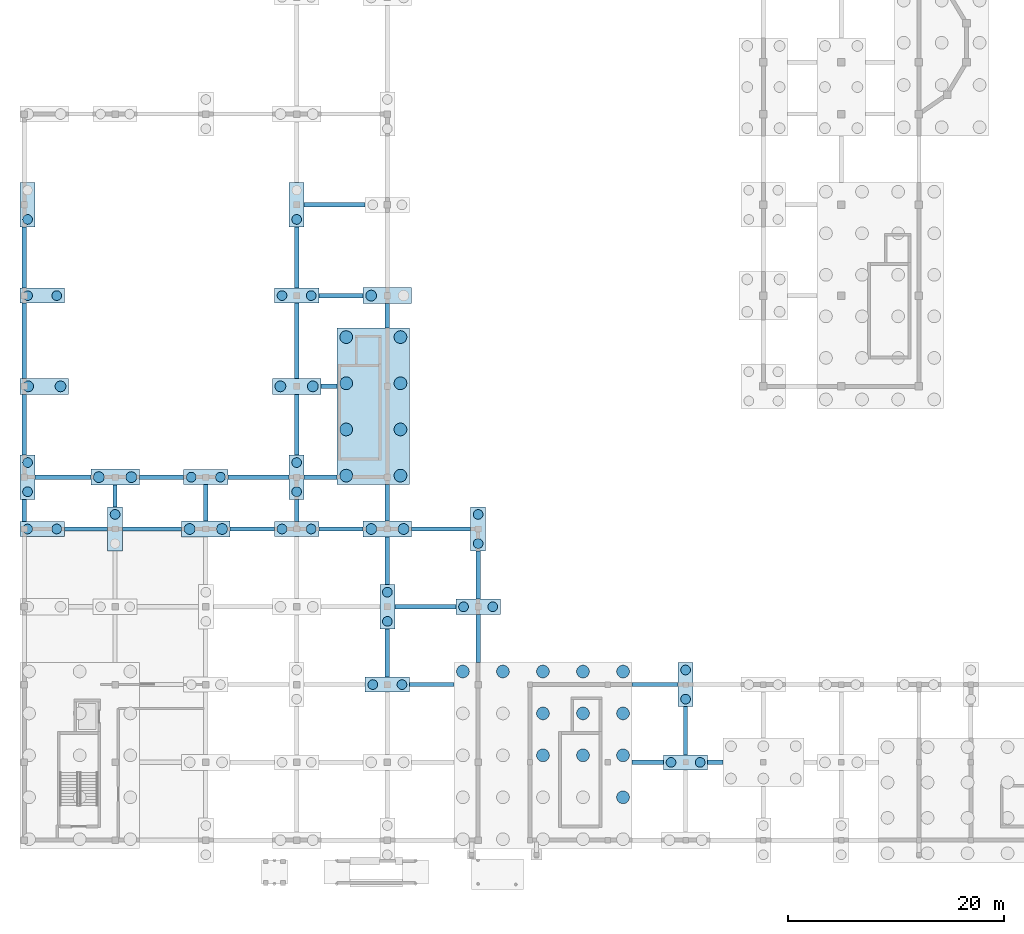
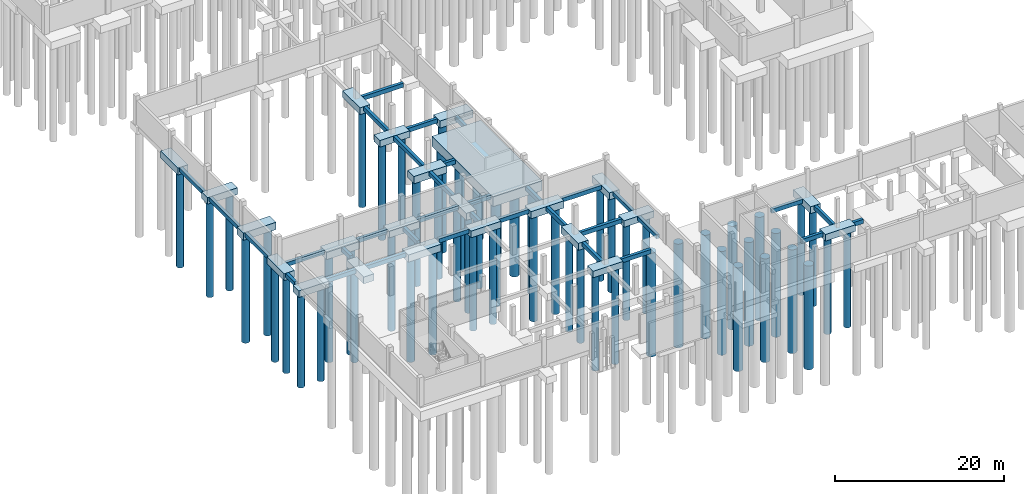
# One storey, part 2 of 22: 60 piles, 57 footings.
"""IFC4 building model written with IfcOpenShell, lengths in metres."""

from ifc_helpers import new_model, si_unit, direction, frame, origin, origin_2d, place, context, subcontext, project, spatial, rectangle, circle, extrude, material, material_profile, profile_set, type_object, element, save


model = new_model("IFC4")

# Units and contexts
model_context = context("Model", 3, precision=1e-05, world=origin(), true_north=direction((0.0, 1.0)))
body_context = subcontext(model_context, "Body", "Model", "MODEL_VIEW")
ifc_project = project(units=[si_unit("LENGTHUNIT", "METRE"), si_unit("AREAUNIT", "SQUARE_METRE"), si_unit("VOLUMEUNIT", "CUBIC_METRE"), si_unit("PLANEANGLEUNIT", "RADIAN"), si_unit("MASSUNIT", "GRAM", prefix="KILO")], contexts=[model_context])

# Site, building, storey
site_placement = place(None, origin())
site = spatial("IfcSite", under=ifc_project, at=site_placement, CompositionType="ELEMENT")
building_placement = place(site_placement, origin())
building = spatial("IfcBuilding", under=site, at=building_placement, Name="Kahlenmark Community Centre", CompositionType="ELEMENT")
storey_placement = place(building_placement, frame((0.0, 0.0, -4.199951171875)))
storey = spatial("IfcBuildingStorey", under=building, at=storey_placement, Name="B1", CompositionType="ELEMENT", Elevation=-4.199951171875)

# Footings
ifc_material = material(Name="Concrete C30/37", Category="concrete")
footing_type_1 = type_object("IfcFootingType", Name="FT-GB-400X600", PredefinedType="FOOTING_BEAM", material=ifc_material)
footing_1_placement = place(storey_placement, frame((61.699951171875, 16.0, -0.60009765625), z_axis=(0.0, 0.0, 1.0), x_axis=(1.0, 0.0, 0.0)))
element("IfcFooting", 1, at=footing_1_placement, inside=storey, type_object=footing_type_1, Name="Ground tie beam X018", PredefinedType="FOOTING_BEAM", context=body_context, shape_type="SweptSolid", body=[
    extrude(rectangle(XDim=2.89990234375, YDim=0.39990234375, at=origin_2d()), origin(), (0.0, 0.0, 1.0), 0.60009765625),
])
footing_2_placement = place(storey_placement, frame((67.949951171875, 16.0, -0.60009765625), z_axis=(0.0, 0.0, 1.0), x_axis=(1.0, 0.0, 0.0)))
element("IfcFooting", 2, at=footing_2_placement, inside=storey, type_object=footing_type_1, Name="Ground tie beam X019", PredefinedType="FOOTING_BEAM", context=body_context, shape_type="SweptSolid", body=[
    extrude(rectangle(XDim=1.39990234375, YDim=0.39990234375, at=origin_2d()), origin(), (0.0, 0.0, 1.0), 0.60009765625),
])
footing_3_placement = place(storey_placement, frame((41.699951171875, 23.199951171875, -0.60009765625), z_axis=(0.0, 0.0, 1.0), x_axis=(1.0, 0.0, 0.0)))
element("IfcFooting", 3, at=footing_3_placement, inside=storey, type_object=footing_type_1, Name="Ground tie beam X032", PredefinedType="FOOTING_BEAM", context=body_context, shape_type="SweptSolid", body=[
    extrude(rectangle(XDim=4.10009765625, YDim=0.39990234375, at=origin_2d()), origin(), (0.0, 0.0, 1.0), 0.60009765625),
])
footing_4_placement = place(storey_placement, frame((62.375, 23.199951171875, -0.60009765625), z_axis=(0.0, 0.0, 1.0), x_axis=(1.0, 0.0, 0.0)))
element("IfcFooting", 4, at=footing_4_placement, inside=storey, type_object=footing_type_1, Name="Ground tie beam X033", PredefinedType="FOOTING_BEAM", context=body_context, shape_type="SweptSolid", body=[
    extrude(rectangle(XDim=4.25, YDim=0.39990234375, at=origin_2d()), origin(), (0.0, 0.0, 1.0), 0.60009765625),
])
footing_5_placement = place(storey_placement, frame((41.125, 30.39990234375, -0.60009765625), z_axis=(0.0, 0.0, 1.0), x_axis=(1.0, 0.0, 0.0)))
element("IfcFooting", 5, at=footing_5_placement, inside=storey, type_object=footing_type_1, Name="Ground tie beam X052", PredefinedType="FOOTING_BEAM", context=body_context, shape_type="SweptSolid", body=[
    extrude(rectangle(XDim=5.64990234375, YDim=0.39990234375, at=origin_2d()), origin(), (0.0, 0.0, 1.0), 0.60009765625),
])
footing_6_placement = place(storey_placement, frame((9.699951171875, 37.60009765625, -1.0), z_axis=(0.0, 0.0, 1.0), x_axis=(1.0, 0.0, 0.0)))
element("IfcFooting", 6, at=footing_6_placement, inside=storey, type_object=footing_type_1, Name="Ground tie beam X056", PredefinedType="FOOTING_BEAM", context=body_context, shape_type="SweptSolid", body=[
    extrude(rectangle(XDim=4.0, YDim=0.39990234375, at=origin_2d()), origin(), (0.0, 0.0, 1.0), 0.60009765625),
])
footing_7_placement = place(storey_placement, frame((15.824951171875, 37.60009765625, -1.0), z_axis=(0.0, 0.0, 1.0), x_axis=(1.0, 0.0, 0.0)))
element("IfcFooting", 7, at=footing_7_placement, inside=storey, type_object=footing_type_1, Name="Ground tie beam X057", PredefinedType="FOOTING_BEAM", context=body_context, shape_type="SweptSolid", body=[
    extrude(rectangle(XDim=5.449951171875, YDim=0.39990234375, at=origin_2d()), origin(), (0.0, 0.0, 1.0), 0.60009765625),
])
for number, where, z_axis, x_axis, name in (
    (8, (25.10009765625, 37.60009765625, -0.60009765625), (0.0, 0.0, 1.0), (1.0, 0.0, 0.0), "Ground tie beam X058"),
    (9, (33.300048828125, 37.60009765625, -0.60009765625), (0.0, 0.0, 1.0), (1.0, 0.0, 0.0), "Ground tie beam X059"),
):
    element("IfcFooting", number, at=place(storey_placement, frame(where, z_axis=z_axis, x_axis=x_axis)), inside=storey, type_object=footing_type_1, Name=name, PredefinedType="FOOTING_BEAM", context=body_context, shape_type="SweptSolid", body=[
        extrude(rectangle(XDim=4.10009765625, YDim=0.39990234375, at=origin_2d()), origin(), (0.0, 0.0, 1.0), 0.60009765625),
    ])
footing_8_placement = place(storey_placement, frame((42.574951171875, 37.60009765625, -0.60009765625), z_axis=(0.0, 0.0, 1.0), x_axis=(1.0, 0.0, 0.0)))
element("IfcFooting", 10, at=footing_8_placement, inside=storey, type_object=footing_type_1, Name="Ground tie beam X060", PredefinedType="FOOTING_BEAM", context=body_context, shape_type="SweptSolid", body=[
    extrude(rectangle(XDim=5.449951171875, YDim=0.39990234375, at=origin_2d()), origin(), (0.0, 0.0, 1.0), 0.60009765625),
])
footing_9_placement = place(storey_placement, frame((7.574951171875, 42.39990234375, -0.60009765625), z_axis=(0.0, 0.0, 1.0), x_axis=(1.0, 0.0, 0.0)))
element("IfcFooting", 11, at=footing_9_placement, inside=storey, type_object=footing_type_1, Name="Ground tie beam X064", PredefinedType="FOOTING_BEAM", context=body_context, shape_type="SweptSolid", body=[
    extrude(rectangle(XDim=5.14990234375, YDim=0.39990234375, at=origin_2d()), origin(), (0.0, 0.0, 1.0), 0.60009765625),
])
footing_10_placement = place(storey_placement, frame((16.699951171875, 42.39990234375, -0.60009765625), z_axis=(0.0, 0.0, 1.0), x_axis=(1.0, 0.0, 0.0)))
element("IfcFooting", 12, at=footing_10_placement, inside=storey, type_object=footing_type_1, Name="Ground tie beam X065", PredefinedType="FOOTING_BEAM", context=body_context, shape_type="SweptSolid", body=[
    extrude(rectangle(XDim=4.10009765625, YDim=0.39990234375, at=origin_2d()), origin(), (0.0, 0.0, 1.0), 0.60009765625),
])
footing_11_placement = place(storey_placement, frame((25.675048828125, 42.39990234375, -0.60009765625), z_axis=(0.0, 0.0, 1.0), x_axis=(1.0, 0.0, 0.0)))
element("IfcFooting", 13, at=footing_11_placement, inside=storey, type_object=footing_type_1, Name="Ground tie beam X066", PredefinedType="FOOTING_BEAM", context=body_context, shape_type="SweptSolid", body=[
    extrude(rectangle(XDim=5.64990234375, YDim=0.39990234375, at=origin_2d()), origin(), (0.0, 0.0, 1.0), 0.60009765625),
])
footing_12_placement = place(storey_placement, frame((31.425048828125, 42.39990234375, -0.60009765625), z_axis=(0.0, 0.0, 1.0), x_axis=(1.0, 0.0, 0.0)))
element("IfcFooting", 14, at=footing_12_placement, inside=storey, type_object=footing_type_1, Name="Ground tie beam X067", PredefinedType="FOOTING_BEAM", context=body_context, shape_type="SweptSolid", body=[
    extrude(rectangle(XDim=3.050048828125, YDim=0.39990234375, at=origin_2d()), origin(), (0.0, 0.0, 1.0), 0.60009765625),
])
footing_13_placement = place(storey_placement, frame((32.199951171875, 50.800048828125, -0.60009765625), z_axis=(0.0, 0.0, 1.0), x_axis=(1.0, 0.0, 0.0)))
element("IfcFooting", 15, at=footing_13_placement, inside=storey, type_object=footing_type_1, Name="Ground tie beam X071", PredefinedType="FOOTING_BEAM", context=body_context, shape_type="SweptSolid", body=[
    extrude(rectangle(XDim=1.5, YDim=0.39990234375, at=origin_2d()), origin(), (0.0, 0.0, 1.0), 0.60009765625),
])
footing_14_placement = place(storey_placement, frame((33.300048828125, 59.199951171875, -0.60009765625), z_axis=(0.0, 0.0, 1.0), x_axis=(1.0, 0.0, 0.0)))
element("IfcFooting", 16, at=footing_14_placement, inside=storey, type_object=footing_type_1, Name="Ground tie beam X073", PredefinedType="FOOTING_BEAM", context=body_context, shape_type="SweptSolid", body=[
    extrude(rectangle(XDim=4.10009765625, YDim=0.39990234375, at=origin_2d()), origin(), (0.0, 0.0, 1.0), 0.60009765625),
])
footing_15_placement = place(storey_placement, frame((32.72509765625, 67.60009765625, -0.60009765625), z_axis=(0.0, 0.0, 1.0), x_axis=(1.0, 0.0, 0.0)))
element("IfcFooting", 17, at=footing_15_placement, inside=storey, type_object=footing_type_1, Name="Ground tie beam X075", PredefinedType="FOOTING_BEAM", context=body_context, shape_type="SweptSolid", body=[
    extrude(rectangle(XDim=5.64990234375, YDim=0.39990234375, at=origin_2d()), origin(), (0.0, 0.0, 1.0), 0.60009765625),
])
footing_16_placement = place(storey_placement, frame((4.0, 39.324951171875, -0.60009765625), z_axis=(0.0, 0.0, 1.0), x_axis=(1.0, 0.0, 0.0)))
element("IfcFooting", 18, at=footing_16_placement, inside=storey, type_object=footing_type_1, Name="Ground tie beam Y113", PredefinedType="FOOTING_BEAM", context=body_context, shape_type="SweptSolid", body=[
    extrude(rectangle(XDim=0.39990234375, YDim=2.050048828125, at=origin_2d()), origin(), (0.0, 0.0, 1.0), 0.60009765625),
])
footing_17_placement = place(storey_placement, frame((4.0, 47.25, -0.60009765625), z_axis=(0.0, 0.0, 1.0), x_axis=(1.0, 0.0, 0.0)))
element("IfcFooting", 19, at=footing_17_placement, inside=storey, type_object=footing_type_1, Name="Ground tie beam Y114", PredefinedType="FOOTING_BEAM", context=body_context, shape_type="SweptSolid", body=[
    extrude(rectangle(XDim=0.39990234375, YDim=5.60009765625, at=origin_2d()), origin(), (0.0, 0.0, 1.0), 0.60009765625),
])
footing_18_placement = place(storey_placement, frame((4.0, 55.02490234375, -0.60009765625), z_axis=(0.0, 0.0, 1.0), x_axis=(1.0, 0.0, 0.0)))
element("IfcFooting", 20, at=footing_18_placement, inside=storey, type_object=footing_type_1, Name="Ground tie beam Y115", PredefinedType="FOOTING_BEAM", context=body_context, shape_type="SweptSolid", body=[
    extrude(rectangle(XDim=0.39990234375, YDim=6.949951171875, at=origin_2d()), origin(), (0.0, 0.0, 1.0), 0.60009765625),
])
footing_19_placement = place(storey_placement, frame((4.0, 62.72509765625, -0.60009765625), z_axis=(0.0, 0.0, 1.0), x_axis=(1.0, 0.0, 0.0)))
element("IfcFooting", 21, at=footing_19_placement, inside=storey, type_object=footing_type_1, Name="Ground tie beam Y116", PredefinedType="FOOTING_BEAM", context=body_context, shape_type="SweptSolid", body=[
    extrude(rectangle(XDim=0.39990234375, YDim=5.64990234375, at=origin_2d()), origin(), (0.0, 0.0, 1.0), 0.60009765625),
])
footing_20_placement = place(storey_placement, frame((12.39990234375, 40.64990234375, -0.60009765625), z_axis=(0.0, 0.0, 1.0), x_axis=(1.0, 0.0, 0.0)))
element("IfcFooting", 22, at=footing_20_placement, inside=storey, type_object=footing_type_1, Name="Ground tie beam Y122", PredefinedType="FOOTING_BEAM", context=body_context, shape_type="SweptSolid", body=[
    extrude(rectangle(XDim=0.39990234375, YDim=2.0, at=origin_2d()), origin(), (0.0, 0.0, 1.0), 0.60009765625),
])
footing_21_placement = place(storey_placement, frame((20.800048828125, 40.02490234375, -0.60009765625), z_axis=(0.0, 0.0, 1.0), x_axis=(1.0, 0.0, 0.0)))
element("IfcFooting", 23, at=footing_21_placement, inside=storey, type_object=footing_type_1, Name="Ground tie beam Y129", PredefinedType="FOOTING_BEAM", context=body_context, shape_type="SweptSolid", body=[
    extrude(rectangle(XDim=0.39990234375, YDim=3.35009765625, at=origin_2d()), origin(), (0.0, 0.0, 1.0), 0.60009765625),
])
footing_22_placement = place(storey_placement, frame((29.199951171875, 39.324951171875, -0.60009765625), z_axis=(0.0, 0.0, 1.0), x_axis=(1.0, 0.0, 0.0)))
element("IfcFooting", 24, at=footing_22_placement, inside=storey, type_object=footing_type_1, Name="Ground tie beam Y136", PredefinedType="FOOTING_BEAM", context=body_context, shape_type="SweptSolid", body=[
    extrude(rectangle(XDim=0.39990234375, YDim=2.050048828125, at=origin_2d()), origin(), (0.0, 0.0, 1.0), 0.60009765625),
])
footing_23_placement = place(storey_placement, frame((29.199951171875, 47.25, -0.60009765625), z_axis=(0.0, 0.0, 1.0), x_axis=(1.0, 0.0, 0.0)))
element("IfcFooting", 25, at=footing_23_placement, inside=storey, type_object=footing_type_1, Name="Ground tie beam Y137", PredefinedType="FOOTING_BEAM", context=body_context, shape_type="SweptSolid", body=[
    extrude(rectangle(XDim=0.39990234375, YDim=5.60009765625, at=origin_2d()), origin(), (0.0, 0.0, 1.0), 0.60009765625),
])
footing_24_placement = place(storey_placement, frame((29.199951171875, 55.02490234375, -0.60009765625), z_axis=(0.0, 0.0, 1.0), x_axis=(1.0, 0.0, 0.0)))
element("IfcFooting", 26, at=footing_24_placement, inside=storey, type_object=footing_type_1, Name="Ground tie beam Y138", PredefinedType="FOOTING_BEAM", context=body_context, shape_type="SweptSolid", body=[
    extrude(rectangle(XDim=0.39990234375, YDim=6.949951171875, at=origin_2d()), origin(), (0.0, 0.0, 1.0), 0.60009765625),
])
footing_25_placement = place(storey_placement, frame((29.199951171875, 62.72509765625, -0.60009765625), z_axis=(0.0, 0.0, 1.0), x_axis=(1.0, 0.0, 0.0)))
element("IfcFooting", 27, at=footing_25_placement, inside=storey, type_object=footing_type_1, Name="Ground tie beam Y139", PredefinedType="FOOTING_BEAM", context=body_context, shape_type="SweptSolid", body=[
    extrude(rectangle(XDim=0.39990234375, YDim=5.64990234375, at=origin_2d()), origin(), (0.0, 0.0, 1.0), 0.60009765625),
])
footing_26_placement = place(storey_placement, frame((37.60009765625, 26.125, -0.60009765625), z_axis=(0.0, 0.0, 1.0), x_axis=(1.0, 0.0, 0.0)))
element("IfcFooting", 28, at=footing_26_placement, inside=storey, type_object=footing_type_1, Name="Ground tie beam Y147", PredefinedType="FOOTING_BEAM", context=body_context, shape_type="SweptSolid", body=[
    extrude(rectangle(XDim=0.39990234375, YDim=4.449951171875, at=origin_2d()), origin(), (0.0, 0.0, 1.0), 0.60009765625),
])
footing_27_placement = place(storey_placement, frame((37.60009765625, 34.64990234375, -0.60009765625), z_axis=(0.0, 0.0, 1.0), x_axis=(1.0, 0.0, 0.0)))
element("IfcFooting", 29, at=footing_27_placement, inside=storey, type_object=footing_type_1, Name="Ground tie beam Y148", PredefinedType="FOOTING_BEAM", context=body_context, shape_type="SweptSolid", body=[
    extrude(rectangle(XDim=0.39990234375, YDim=4.39990234375, at=origin_2d()), origin(), (0.0, 0.0, 1.0), 0.60009765625),
])
footing_28_placement = place(storey_placement, frame((37.60009765625, 40.02490234375, -0.60009765625), z_axis=(0.0, 0.0, 1.0), x_axis=(1.0, 0.0, 0.0)))
element("IfcFooting", 30, at=footing_28_placement, inside=storey, type_object=footing_type_1, Name="Ground tie beam Y149", PredefinedType="FOOTING_BEAM", context=body_context, shape_type="SweptSolid", body=[
    extrude(rectangle(XDim=0.39990234375, YDim=3.35009765625, at=origin_2d()), origin(), (0.0, 0.0, 1.0), 0.60009765625),
])
footing_29_placement = place(storey_placement, frame((37.60009765625, 57.324951171875, -0.60009765625), z_axis=(0.0, 0.0, 1.0), x_axis=(1.0, 0.0, 0.0)))
element("IfcFooting", 31, at=footing_29_placement, inside=storey, type_object=footing_type_1, Name="Ground tie beam Y150", PredefinedType="FOOTING_BEAM", context=body_context, shape_type="SweptSolid", body=[
    extrude(rectangle(XDim=0.39990234375, YDim=2.25, at=origin_2d()), origin(), (0.0, 0.0, 1.0), 0.60009765625),
])
for number, where, z_axis, x_axis, name in (
    (32, (46.0, 27.47509765625, -0.60009765625), (0.0, 0.0, 1.0), (1.0, 0.0, 0.0), "Ground tie beam Y157"),
    (33, (46.0, 33.324951171875, -0.60009765625), (0.0, 0.0, 1.0), (1.0, 0.0, 0.0), "Ground tie beam Y158"),
    (34, (65.199951171875, 18.925048828125, -0.60009765625), (0.0, 0.0, 1.0), (1.0, 0.0, 0.0), "Ground tie beam Y163"),
):
    element("IfcFooting", number, at=place(storey_placement, frame(where, z_axis=z_axis, x_axis=x_axis)), inside=storey, type_object=footing_type_1, Name=name, PredefinedType="FOOTING_BEAM", context=body_context, shape_type="SweptSolid", body=[
        extrude(rectangle(XDim=0.39990234375, YDim=4.449951171875, at=origin_2d()), origin(), (0.0, 0.0, 1.0), 0.60009765625),
    ])
footing_type_2 = type_object("IfcFootingType", Name="FT-PC-140X410X100", PredefinedType="PILE_CAP", material=ifc_material)
for number, where, z_axis, x_axis, name in (
    (35, (65.199951171875, 23.199951171875, -1.0), (0.0, 0.0, 1.0), (1.0, 0.0, 0.0), "Bored pile cap FT-PC-029"),
    (36, (37.60009765625, 30.39990234375, -1.0), (0.0, 0.0, 1.0), (1.0, 0.0, 0.0), "Bored pile cap FT-PC-047"),
    (37, (12.39990234375, 37.60009765625, -1.400146484375), (0.0, 0.0, 1.0), (1.0, 0.0, 0.0), "Bored pile cap FT-PC-056"),
    (38, (46.0, 37.60009765625, -1.0), (0.0, 0.0, 1.0), (1.0, 0.0, 0.0), "Bored pile cap FT-PC-057"),
    (39, (4.300048828125, 42.39990234375, -1.0), (0.0, 0.0, 1.0), (1.0, 0.0, 0.0), "Bored pile cap FT-PC-066"),
    (40, (29.199951171875, 42.39990234375, -1.0), (0.0, 0.0, 1.0), (1.0, 0.0, 0.0), "Bored pile cap FT-PC-067"),
    (41, (4.300048828125, 67.60009765625, -1.0), (0.0, 0.0, 1.0), (1.0, 0.0, 0.0), "Bored pile cap FT-PC-083"),
    (42, (29.199951171875, 67.60009765625, -1.0), (0.0, 0.0, 1.0), (1.0, 0.0, 0.0), "Bored pile cap FT-PC-084"),
):
    element("IfcFooting", number, at=place(storey_placement, frame(where, z_axis=z_axis, x_axis=x_axis)), inside=storey, type_object=footing_type_2, Name=name, PredefinedType="PILE_CAP", context=body_context, shape_type="SweptSolid", body=[
        extrude(rectangle(XDim=1.39990234375, YDim=4.10009765625, at=origin_2d()), origin(), (0.0, 0.0, 1.0), 1.0),
    ])
footing_type_3 = type_object("IfcFootingType", Name="FT-PC-410X140X95", PredefinedType="PILE_CAP", material=ifc_material)
for number, where, z_axis, x_axis, name in (
    (43, (65.199951171875, 16.0, -0.9501953125), (0.0, 0.0, 1.0), (1.0, 0.0, 0.0), "Bored pile cap FT-PC-020"),
    (44, (37.60009765625, 23.199951171875, -0.9501953125), (0.0, 0.0, 1.0), (1.0, 0.0, 0.0), "Bored pile cap FT-PC-042"),
    (45, (46.0, 30.39990234375, -0.9501953125), (0.0, 0.0, 1.0), (1.0, 0.0, 0.0), "Bored pile cap FT-PC-055"),
    (46, (5.64990234375, 37.60009765625, -1.35009765625), (0.0, 0.0, 1.0), (1.0, 0.0, 0.0), "Bored pile cap FT-PC-060"),
    (47, (29.199951171875, 37.60009765625, -0.9501953125), (0.0, 0.0, 1.0), (1.0, 0.0, 0.0), "Bored pile cap FT-PC-061"),
    (48, (20.800048828125, 42.39990234375, -0.9501953125), (0.0, 0.0, 1.0), (1.0, 0.0, 0.0), "Bored pile cap FT-PC-073"),
    (49, (5.64990234375, 59.199951171875, -0.9501953125), (0.0, 0.0, 1.0), (1.0, 0.0, 0.0), "Bored pile cap FT-PC-081"),
    (50, (29.199951171875, 59.199951171875, -0.9501953125), (0.0, 0.0, 1.0), (1.0, 0.0, 0.0), "Bored pile cap FT-PC-082"),
):
    element("IfcFooting", number, at=place(storey_placement, frame(where, z_axis=z_axis, x_axis=x_axis)), inside=storey, type_object=footing_type_3, Name=name, PredefinedType="PILE_CAP", context=body_context, shape_type="SweptSolid", body=[
        extrude(rectangle(XDim=4.10009765625, YDim=1.39990234375, at=origin_2d()), origin(), (0.0, 0.0, 1.0), 0.949951171875),
    ])
footing_type_4 = type_object("IfcFootingType", Name="FT-PC-450X150X105", PredefinedType="PILE_CAP", material=ifc_material)
for number, where, z_axis, x_axis, name in (
    (51, (20.800048828125, 37.60009765625, -1.4501953125), (0.0, 0.0, 1.0), (1.0, 0.0, 0.0), "Bored pile cap FT-PC-058"),
    (52, (37.60009765625, 37.60009765625, -1.05029296875), (0.0, 0.0, 1.0), (1.0, 0.0, 0.0), "Bored pile cap FT-PC-059"),
    (53, (12.39990234375, 42.39990234375, -1.05029296875), (0.0, 0.0, 1.0), (1.0, 0.0, 0.0), "Bored pile cap FT-PC-072"),
    (54, (5.85009765625, 50.800048828125, -1.05029296875), (0.0, 0.0, 1.0), (1.0, 0.0, 0.0), "Bored pile cap FT-PC-077"),
    (55, (29.199951171875, 50.800048828125, -1.05029296875), (0.0, 0.0, 1.0), (1.0, 0.0, 0.0), "Bored pile cap FT-PC-078"),
    (56, (37.60009765625, 59.199951171875, -1.05029296875), (0.0, 0.0, 1.0), (1.0, 0.0, 0.0), "Bored pile cap FT-PC-080"),
):
    element("IfcFooting", number, at=place(storey_placement, frame(where, z_axis=z_axis, x_axis=x_axis)), inside=storey, type_object=footing_type_4, Name=name, PredefinedType="PILE_CAP", context=body_context, shape_type="SweptSolid", body=[
        extrude(rectangle(XDim=4.5, YDim=1.5, at=origin_2d()), origin(), (0.0, 0.0, 1.0), 1.050048828125),
    ])
footing_type_5 = type_object("IfcFootingType", Name="FT-PC-670X1450X140", PredefinedType="PILE_CAP", material=ifc_material)
footing_30_placement = place(storey_placement, frame((36.300048828125, 48.949951171875, -1.39990234375), z_axis=(0.0, 0.0, 1.0), x_axis=(1.0, 0.0, 0.0)))
element("IfcFooting", 57, at=footing_30_placement, inside=storey, type_object=footing_type_5, Name="Bored pile cap FT-PC-074", PredefinedType="PILE_CAP", context=body_context, shape_type="SweptSolid", body=[
    extrude(rectangle(XDim=6.699951171875, YDim=14.5, at=origin_2d()), origin(), (0.0, 0.0, 1.0), 1.39990234375),
])

# Piles
ifc_material_profile_1 = material_profile(ifc_material, circle(Radius=0.5, at=origin_2d()), Name="BORED PILE 1000")
ifc_profile_set_1 = profile_set([ifc_material_profile_1], Name="Concrete C30/37")
pile_type_1 = type_object("IfcPileType", Name="PT-BP1000", PredefinedType="BORED", material=ifc_profile_set_1)
for number, where, z_axis, x_axis, name in (
    (58, (19.300048828125, 37.60009765625, -1.35009765625), (0.0, 0.0, -1.0), (1.0, 0.0, 0.0), "Bored pile PL-RC2-058-01"),
    (59, (22.300048828125, 37.60009765625, -1.35009765625), (0.0, 0.0, -1.0), (1.0, 0.0, 0.0), "Bored pile PL-RC2-058-02"),
):
    element("IfcPile", number, at=place(storey_placement, frame(where, z_axis=z_axis, x_axis=x_axis)), inside=storey, type_object=pile_type_1, Name=name, PredefinedType="BORED", context=body_context, shape_type="SweptSolid", body=[
        extrude(circle(Radius=0.5, at=origin_2d()), origin(), (0.0, 0.0, 1.0), 14.949951171875),
    ])
for number, where, z_axis, x_axis, name in (
    (60, (36.10009765625, 37.60009765625, -0.949951171875), (0.0, 0.0, -1.0), (1.0, 0.0, 0.0), "Bored pile PL-RC2-059-01"),
    (61, (39.10009765625, 37.60009765625, -0.949951171875), (0.0, 0.0, -1.0), (1.0, 0.0, 0.0), "Bored pile PL-RC2-059-02"),
    (62, (10.89990234375, 42.39990234375, -0.949951171875), (0.0, 0.0, -1.0), (1.0, 0.0, 0.0), "Bored pile PL-RC2-072-01"),
    (63, (13.89990234375, 42.39990234375, -0.949951171875), (0.0, 0.0, -1.0), (1.0, 0.0, 0.0), "Bored pile PL-RC2-072-02"),
    (64, (4.35009765625, 50.800048828125, -0.949951171875), (0.0, 0.0, -1.0), (1.0, 0.0, 0.0), "Bored pile PL-RC2-077-01"),
    (65, (7.35009765625, 50.800048828125, -0.949951171875), (0.0, 0.0, -1.0), (1.0, 0.0, 0.0), "Bored pile PL-RC2-077-02"),
    (66, (27.699951171875, 50.800048828125, -0.949951171875), (0.0, 0.0, -1.0), (1.0, 0.0, 0.0), "Bored pile PL-RC2-078-01"),
    (67, (30.699951171875, 50.800048828125, -0.949951171875), (0.0, 0.0, -1.0), (1.0, 0.0, 0.0), "Bored pile PL-RC2-078-02"),
    (68, (36.10009765625, 59.199951171875, -0.949951171875), (0.0, 0.0, -1.0), (1.0, 0.0, 0.0), "Bored pile PL-RC2-080-01"),
):
    element("IfcPile", number, at=place(storey_placement, frame(where, z_axis=z_axis, x_axis=x_axis)), inside=storey, type_object=pile_type_1, Name=name, PredefinedType="BORED", context=body_context, shape_type="SweptSolid", body=[
        extrude(circle(Radius=0.5, at=origin_2d()), origin(), (0.0, 0.0, 1.0), 15.35009765625),
    ])
ifc_material_profile_2 = material_profile(ifc_material, circle(Radius=0.590087890625, at=origin_2d()), Name="BORED PILE 1180")
ifc_profile_set_2 = profile_set([ifc_material_profile_2], Name="Concrete C30/37")
pile_type_2 = type_object("IfcPileType", Name="PT-BP1180", PredefinedType="BORED", material=ifc_profile_set_2)
for number, where, z_axis, x_axis, name in (
    (69, (44.590087890625, 24.409912109375, -1.300048828125), (0.0, 0.0, -1.0), (1.0, 0.0, 0.0), "Bored pile PL-RC2-008-05"),
    (70, (48.294921875, 24.409912109375, -1.300048828125), (0.0, 0.0, -1.0), (1.0, 0.0, 0.0), "Bored pile PL-RC2-008-10"),
    (71, (52.0, 16.64990234375, -1.300048828125), (0.0, 0.0, -1.0), (1.0, 0.0, 0.0), "Bored pile PL-RC2-008-13"),
    (72, (52.0, 20.530029296875, -1.300048828125), (0.0, 0.0, -1.0), (1.0, 0.0, 0.0), "Bored pile PL-RC2-008-14"),
    (73, (52.0, 24.409912109375, -1.300048828125), (0.0, 0.0, -1.0), (1.0, 0.0, 0.0), "Bored pile PL-RC2-008-15"),
    (74, (55.705078125, 16.64990234375, -1.300048828125), (0.0, 0.0, -1.0), (1.0, 0.0, 0.0), "Bored pile PL-RC2-008-18"),
    (75, (55.705078125, 20.530029296875, -1.300048828125), (0.0, 0.0, -1.0), (1.0, 0.0, 0.0), "Bored pile PL-RC2-008-19"),
    (76, (55.705078125, 24.409912109375, -1.300048828125), (0.0, 0.0, -1.0), (1.0, 0.0, 0.0), "Bored pile PL-RC2-008-20"),
    (77, (59.409912109375, 12.77001953125, -1.300048828125), (0.0, 0.0, -1.0), (1.0, 0.0, 0.0), "Bored pile PL-RC2-008-22"),
    (78, (59.409912109375, 16.64990234375, -1.300048828125), (0.0, 0.0, -1.0), (1.0, 0.0, 0.0), "Bored pile PL-RC2-008-23"),
    (79, (59.409912109375, 20.530029296875, -1.300048828125), (0.0, 0.0, -1.0), (1.0, 0.0, 0.0), "Bored pile PL-RC2-008-24"),
    (80, (59.409912109375, 24.409912109375, -1.300048828125), (0.0, 0.0, -1.0), (1.0, 0.0, 0.0), "Bored pile PL-RC2-008-25"),
    (81, (33.7900390625, 42.5400390625, -1.300048828125), (0.0, 0.0, -1.0), (1.0, 0.0, 0.0), "Bored pile PL-RC2-074-01"),
    (82, (33.7900390625, 46.81298828125, -1.300048828125), (0.0, 0.0, -1.0), (1.0, 0.0, 0.0), "Bored pile PL-RC2-074-02"),
    (83, (33.7900390625, 51.0869140625, -1.300048828125), (0.0, 0.0, -1.0), (1.0, 0.0, 0.0), "Bored pile PL-RC2-074-03"),
    (84, (33.7900390625, 55.360107421875, -1.300048828125), (0.0, 0.0, -1.0), (1.0, 0.0, 0.0), "Bored pile PL-RC2-074-04"),
    (85, (38.81005859375, 42.5400390625, -1.300048828125), (0.0, 0.0, -1.0), (1.0, 0.0, 0.0), "Bored pile PL-RC2-074-05"),
    (86, (38.81005859375, 46.81298828125, -1.300048828125), (0.0, 0.0, -1.0), (1.0, 0.0, 0.0), "Bored pile PL-RC2-074-06"),
    (87, (38.81005859375, 51.0869140625, -1.300048828125), (0.0, 0.0, -1.0), (1.0, 0.0, 0.0), "Bored pile PL-RC2-074-07"),
    (88, (38.81005859375, 55.360107421875, -1.300048828125), (0.0, 0.0, -1.0), (1.0, 0.0, 0.0), "Bored pile PL-RC2-074-08"),
):
    element("IfcPile", number, at=place(storey_placement, frame(where, z_axis=z_axis, x_axis=x_axis)), inside=storey, type_object=pile_type_2, Name=name, PredefinedType="BORED", context=body_context, shape_type="SweptSolid", body=[
        extrude(circle(Radius=0.590087890625, at=origin_2d()), origin(), (0.0, 0.0, 1.0), 15.0),
    ])
ifc_material_profile_3 = material_profile(ifc_material, circle(Radius=0.449951171875, at=origin_2d()), Name="BORED PILE 900")
ifc_profile_set_3 = profile_set([ifc_material_profile_3], Name="Concrete C30/37")
pile_type_3 = type_object("IfcPileType", Name="PT-BP900", PredefinedType="BORED", material=ifc_profile_set_3)
for number, where, z_axis, x_axis, name in (
    (89, (63.85009765625, 16.0, -0.85009765625), (0.0, 0.0, -1.0), (1.0, 0.0, 0.0), "Bored pile PL-RC2-020-01"),
    (90, (66.550048828125, 16.0, -0.85009765625), (0.0, 0.0, -1.0), (1.0, 0.0, 0.0), "Bored pile PL-RC2-020-02"),
):
    element("IfcPile", number, at=place(storey_placement, frame(where, z_axis=z_axis, x_axis=x_axis)), inside=storey, type_object=pile_type_3, Name=name, PredefinedType="BORED", context=body_context, shape_type="SweptSolid", body=[
        extrude(circle(Radius=0.449951171875, at=origin_2d()), origin(), (0.0, 0.0, 1.0), 13.949951171875),
    ])
for number, where, z_axis, x_axis, name in (
    (91, (65.199951171875, 21.85009765625, -0.900146484375), (0.0, 0.0, -1.0), (1.0, 0.0, 0.0), "Bored pile PL-RC2-029-01"),
    (92, (65.199951171875, 24.550048828125, -0.900146484375), (0.0, 0.0, -1.0), (1.0, 0.0, 0.0), "Bored pile PL-RC2-029-02"),
):
    element("IfcPile", number, at=place(storey_placement, frame(where, z_axis=z_axis, x_axis=x_axis)), inside=storey, type_object=pile_type_3, Name=name, PredefinedType="BORED", context=body_context, shape_type="SweptSolid", body=[
        extrude(circle(Radius=0.449951171875, at=origin_2d()), origin(), (0.0, 0.0, 1.0), 13.89990234375),
    ])
for number, where, z_axis, x_axis, name in (
    (93, (36.25, 23.199951171875, -0.85009765625), (0.0, 0.0, -1.0), (1.0, 0.0, 0.0), "Bored pile PL-RC2-042-01"),
    (94, (38.949951171875, 23.199951171875, -0.85009765625), (0.0, 0.0, -1.0), (1.0, 0.0, 0.0), "Bored pile PL-RC2-042-02"),
):
    element("IfcPile", number, at=place(storey_placement, frame(where, z_axis=z_axis, x_axis=x_axis)), inside=storey, type_object=pile_type_3, Name=name, PredefinedType="BORED", context=body_context, shape_type="SweptSolid", body=[
        extrude(circle(Radius=0.449951171875, at=origin_2d()), origin(), (0.0, 0.0, 1.0), 13.949951171875),
    ])
for number, where, z_axis, x_axis, name in (
    (95, (37.60009765625, 29.050048828125, -0.900146484375), (0.0, 0.0, -1.0), (1.0, 0.0, 0.0), "Bored pile PL-RC2-047-01"),
    (96, (37.60009765625, 31.75, -0.900146484375), (0.0, 0.0, -1.0), (1.0, 0.0, 0.0), "Bored pile PL-RC2-047-02"),
):
    element("IfcPile", number, at=place(storey_placement, frame(where, z_axis=z_axis, x_axis=x_axis)), inside=storey, type_object=pile_type_3, Name=name, PredefinedType="BORED", context=body_context, shape_type="SweptSolid", body=[
        extrude(circle(Radius=0.449951171875, at=origin_2d()), origin(), (0.0, 0.0, 1.0), 13.89990234375),
    ])
for number, where, z_axis, x_axis, name in (
    (97, (44.64990234375, 30.39990234375, -0.85009765625), (0.0, 0.0, -1.0), (1.0, 0.0, 0.0), "Bored pile PL-RC2-055-01"),
    (98, (47.35009765625, 30.39990234375, -0.85009765625), (0.0, 0.0, -1.0), (1.0, 0.0, 0.0), "Bored pile PL-RC2-055-02"),
):
    element("IfcPile", number, at=place(storey_placement, frame(where, z_axis=z_axis, x_axis=x_axis)), inside=storey, type_object=pile_type_3, Name=name, PredefinedType="BORED", context=body_context, shape_type="SweptSolid", body=[
        extrude(circle(Radius=0.449951171875, at=origin_2d()), origin(), (0.0, 0.0, 1.0), 13.949951171875),
    ])
pile_placement = place(storey_placement, frame((12.39990234375, 38.949951171875, -1.300048828125), z_axis=(0.0, 0.0, -1.0), x_axis=(1.0, 0.0, 0.0)))
element("IfcPile", 99, at=pile_placement, inside=storey, type_object=pile_type_3, Name="Bored pile PL-RC2-056-02", PredefinedType="BORED", context=body_context, shape_type="SweptSolid", body=[
    extrude(circle(Radius=0.449951171875, at=origin_2d()), origin(), (0.0, 0.0, 1.0), 13.5),
])
for number, where, z_axis, x_axis, name in (
    (100, (46.0, 36.25, -0.900146484375), (0.0, 0.0, -1.0), (1.0, 0.0, 0.0), "Bored pile PL-RC2-057-01"),
    (101, (46.0, 38.949951171875, -0.900146484375), (0.0, 0.0, -1.0), (1.0, 0.0, 0.0), "Bored pile PL-RC2-057-02"),
):
    element("IfcPile", number, at=place(storey_placement, frame(where, z_axis=z_axis, x_axis=x_axis)), inside=storey, type_object=pile_type_3, Name=name, PredefinedType="BORED", context=body_context, shape_type="SweptSolid", body=[
        extrude(circle(Radius=0.449951171875, at=origin_2d()), origin(), (0.0, 0.0, 1.0), 13.89990234375),
    ])
for number, where, z_axis, x_axis, name in (
    (102, (4.300048828125, 37.60009765625, -1.25), (0.0, 0.0, -1.0), (1.0, 0.0, 0.0), "Bored pile PL-RC2-060-01"),
    (103, (7.0, 37.60009765625, -1.25), (0.0, 0.0, -1.0), (1.0, 0.0, 0.0), "Bored pile PL-RC2-060-02"),
):
    element("IfcPile", number, at=place(storey_placement, frame(where, z_axis=z_axis, x_axis=x_axis)), inside=storey, type_object=pile_type_3, Name=name, PredefinedType="BORED", context=body_context, shape_type="SweptSolid", body=[
        extrude(circle(Radius=0.449951171875, at=origin_2d()), origin(), (0.0, 0.0, 1.0), 13.550048828125),
    ])
for number, where, z_axis, x_axis, name in (
    (104, (27.85009765625, 37.60009765625, -0.85009765625), (0.0, 0.0, -1.0), (1.0, 0.0, 0.0), "Bored pile PL-RC2-061-01"),
    (105, (30.550048828125, 37.60009765625, -0.85009765625), (0.0, 0.0, -1.0), (1.0, 0.0, 0.0), "Bored pile PL-RC2-061-02"),
):
    element("IfcPile", number, at=place(storey_placement, frame(where, z_axis=z_axis, x_axis=x_axis)), inside=storey, type_object=pile_type_3, Name=name, PredefinedType="BORED", context=body_context, shape_type="SweptSolid", body=[
        extrude(circle(Radius=0.449951171875, at=origin_2d()), origin(), (0.0, 0.0, 1.0), 13.949951171875),
    ])
for number, where, z_axis, x_axis, name in (
    (106, (4.300048828125, 41.050048828125, -0.900146484375), (0.0, 0.0, -1.0), (1.0, 0.0, 0.0), "Bored pile PL-RC2-066-01"),
    (107, (4.300048828125, 43.75, -0.900146484375), (0.0, 0.0, -1.0), (1.0, 0.0, 0.0), "Bored pile PL-RC2-066-02"),
    (108, (29.199951171875, 41.050048828125, -0.900146484375), (0.0, 0.0, -1.0), (1.0, 0.0, 0.0), "Bored pile PL-RC2-067-01"),
    (109, (29.199951171875, 43.75, -0.900146484375), (0.0, 0.0, -1.0), (1.0, 0.0, 0.0), "Bored pile PL-RC2-067-02"),
):
    element("IfcPile", number, at=place(storey_placement, frame(where, z_axis=z_axis, x_axis=x_axis)), inside=storey, type_object=pile_type_3, Name=name, PredefinedType="BORED", context=body_context, shape_type="SweptSolid", body=[
        extrude(circle(Radius=0.449951171875, at=origin_2d()), origin(), (0.0, 0.0, 1.0), 13.89990234375),
    ])
for number, where, z_axis, x_axis, name in (
    (110, (19.449951171875, 42.39990234375, -0.85009765625), (0.0, 0.0, -1.0), (1.0, 0.0, 0.0), "Bored pile PL-RC2-073-01"),
    (111, (22.14990234375, 42.39990234375, -0.85009765625), (0.0, 0.0, -1.0), (1.0, 0.0, 0.0), "Bored pile PL-RC2-073-02"),
    (112, (4.300048828125, 59.199951171875, -0.85009765625), (0.0, 0.0, -1.0), (1.0, 0.0, 0.0), "Bored pile PL-RC2-081-01"),
    (113, (7.0, 59.199951171875, -0.85009765625), (0.0, 0.0, -1.0), (1.0, 0.0, 0.0), "Bored pile PL-RC2-081-02"),
    (114, (27.85009765625, 59.199951171875, -0.85009765625), (0.0, 0.0, -1.0), (1.0, 0.0, 0.0), "Bored pile PL-RC2-082-01"),
    (115, (30.550048828125, 59.199951171875, -0.85009765625), (0.0, 0.0, -1.0), (1.0, 0.0, 0.0), "Bored pile PL-RC2-082-02"),
):
    element("IfcPile", number, at=place(storey_placement, frame(where, z_axis=z_axis, x_axis=x_axis)), inside=storey, type_object=pile_type_3, Name=name, PredefinedType="BORED", context=body_context, shape_type="SweptSolid", body=[
        extrude(circle(Radius=0.449951171875, at=origin_2d()), origin(), (0.0, 0.0, 1.0), 13.949951171875),
    ])
for number, where, z_axis, x_axis, name in (
    (116, (4.300048828125, 66.25, -0.900146484375), (0.0, 0.0, -1.0), (1.0, 0.0, 0.0), "Bored pile PL-RC2-083-01"),
    (117, (29.199951171875, 66.25, -0.900146484375), (0.0, 0.0, -1.0), (1.0, 0.0, 0.0), "Bored pile PL-RC2-084-01"),
):
    element("IfcPile", number, at=place(storey_placement, frame(where, z_axis=z_axis, x_axis=x_axis)), inside=storey, type_object=pile_type_3, Name=name, PredefinedType="BORED", context=body_context, shape_type="SweptSolid", body=[
        extrude(circle(Radius=0.449951171875, at=origin_2d()), origin(), (0.0, 0.0, 1.0), 13.89990234375),
    ])

save(model, "model.ifc")
